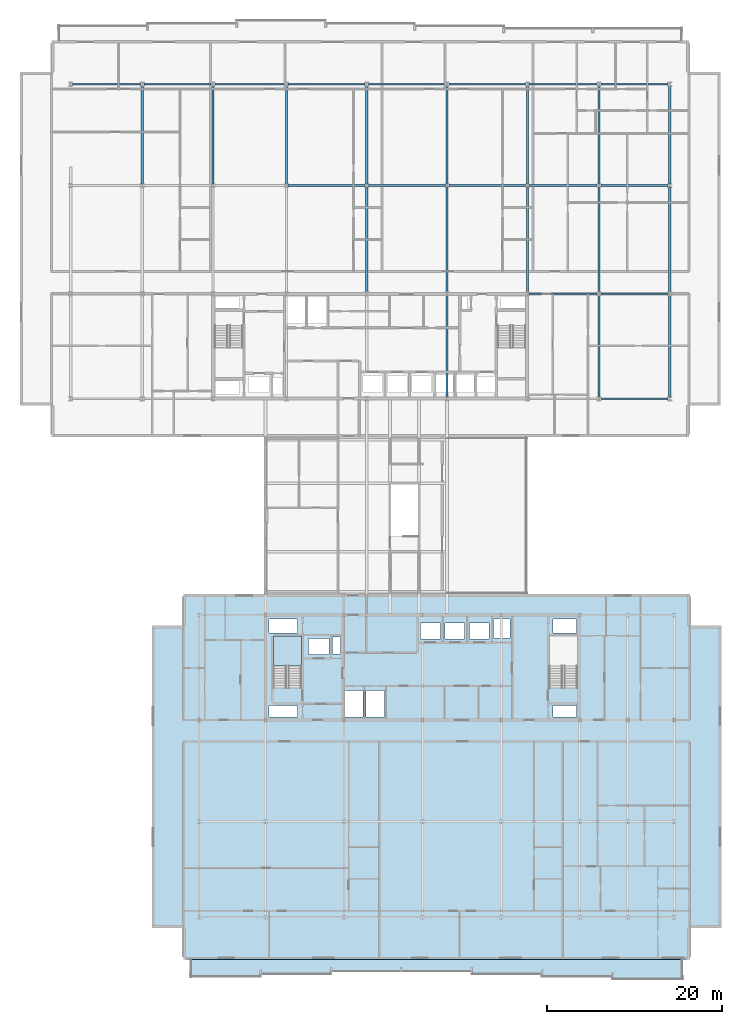
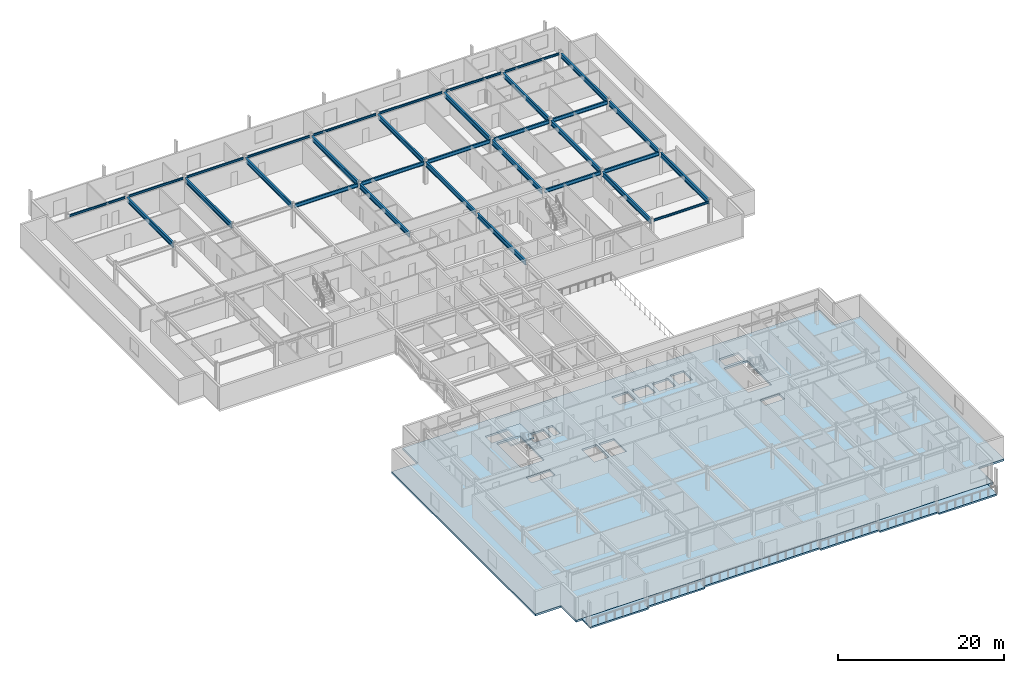
# One storey, part 8 of 28: 32 beams, 3 slabs, 1 element without a shape of its own.
"""IFC4 building model written with IfcOpenShell, lengths in metres."""

from ifc_helpers import new_model, si_unit, direction, frame, origin, origin_2d, place, context, subcontext, project, spatial, polyline, i_section, outline, extrude, material, layer, layer_set, material_profile, profile_set, type_object, element, aggregate, save


model = new_model("IFC4")

# Units and contexts
model_context = context("Model", 3, precision=1e-05, world=origin(), true_north=direction((0.0, 1.0)))
body_context = subcontext(model_context, "Body", "Model", "MODEL_VIEW")
ifc_project = project(units=[si_unit("LENGTHUNIT", "METRE"), si_unit("AREAUNIT", "SQUARE_METRE"), si_unit("VOLUMEUNIT", "CUBIC_METRE"), si_unit("PLANEANGLEUNIT", "RADIAN"), si_unit("MASSUNIT", "GRAM", prefix="KILO")], contexts=[model_context])

# Site, building, storey
site_placement = place(None, origin())
site = spatial("IfcSite", under=ifc_project, at=site_placement, CompositionType="ELEMENT")
building_placement = place(site_placement, origin())
building = spatial("IfcBuilding", under=site, at=building_placement, Name="Korimba Cascade Residences", CompositionType="ELEMENT")
storey_placement = place(building_placement, frame((0.0, 0.0, 153.699951171875)))
storey = spatial("IfcBuildingStorey", under=building, at=storey_placement, Name="L44", CompositionType="ELEMENT", Elevation=153.699951171875)

# Beams
ifc_material_1 = material(Name="Steel S355", Category="steel")
ifc_material_profile_1 = material_profile(ifc_material_1, i_section(OverallWidth=0.165771484375, OverallDepth=0.306640625, WebThickness=0.006591796875, FlangeThickness=0.01171875, FilletRadius=0.0087890625, at=origin_2d()), Name="Steel S355")
ifc_profile_set_1 = profile_set([ifc_material_profile_1], Name="Steel S355")
beam_type_1 = type_object("IfcBeamType", Name="BM-STL-UB305", PredefinedType="SPANDREL", material=ifc_profile_set_1)
beam_1_placement = place(storey_placement, frame((120.506103515625, 55.199951171875, 3.166748046875), z_axis=(1.0, 0.0, 0.0), x_axis=(0.0, 1.0, 0.0)))
element("IfcBeam", 1, at=beam_1_placement, inside=storey, type_object=beam_type_1, Name="L44 T1 E-W Girder Y1 Bay 8", PredefinedType="SPANDREL", context=body_context, shape_type="SweptSolid", body=[
    extrude(i_section(OverallWidth=0.165771484375, OverallDepth=0.306640625, WebThickness=0.006591796875, FlangeThickness=0.01171875, FilletRadius=0.0087890625, at=origin_2d()), origin(), (0.0, 0.0, 1.0), 7.687744140625),
])
beam_2_placement = place(storey_placement, frame((60.006103515625, 91.199951171875, 3.166748046875), z_axis=(1.0, 0.0, 0.0), x_axis=(0.0, 1.0, 0.0)))
element("IfcBeam", 2, at=beam_2_placement, inside=storey, type_object=beam_type_1, Name="L44 T1 E-W Girder Y4 Bay 1", PredefinedType="SPANDREL", context=body_context, shape_type="SweptSolid", body=[
    extrude(i_section(OverallWidth=0.165771484375, OverallDepth=0.306640625, WebThickness=0.006591796875, FlangeThickness=0.01171875, FilletRadius=0.0087890625, at=origin_2d()), origin(), (0.0, 0.0, 1.0), 7.787841796875),
])
beam_3_placement = place(storey_placement, frame((68.2060546875, 91.199951171875, 3.166748046875), z_axis=(1.0, 0.0, 0.0), x_axis=(0.0, 1.0, 0.0)))
element("IfcBeam", 3, at=beam_3_placement, inside=storey, type_object=beam_type_1, Name="L44 T1 E-W Girder Y4 Bay 2", PredefinedType="SPANDREL", context=body_context, shape_type="SweptSolid", body=[
    extrude(i_section(OverallWidth=0.165771484375, OverallDepth=0.306640625, WebThickness=0.006591796875, FlangeThickness=0.01171875, FilletRadius=0.0087890625, at=origin_2d()), origin(), (0.0, 0.0, 1.0), 7.687744140625),
])
beam_4_placement = place(storey_placement, frame((76.30615234375, 91.199951171875, 3.166748046875), z_axis=(1.0, 0.0, 0.0), x_axis=(0.0, 1.0, 0.0)))
element("IfcBeam", 4, at=beam_4_placement, inside=storey, type_object=beam_type_1, Name="L44 T1 E-W Girder Y4 Bay 3", PredefinedType="SPANDREL", context=body_context, shape_type="SweptSolid", body=[
    extrude(i_section(OverallWidth=0.165771484375, OverallDepth=0.306640625, WebThickness=0.006591796875, FlangeThickness=0.01171875, FilletRadius=0.0087890625, at=origin_2d()), origin(), (0.0, 0.0, 1.0), 7.98779296875),
])
for number, where, z_axis, x_axis, name in (
    (5, (84.7060546875, 91.199951171875, 3.166748046875), (1.0, 0.0, 0.0), (0.0, 1.0, 0.0), "L44 T1 E-W Girder Y4 Bay 4"),
    (6, (93.906005859375, 91.199951171875, 3.166748046875), (1.0, 0.0, 0.0), (0.0, 1.0, 0.0), "L44 T1 E-W Girder Y4 Bay 5"),
):
    element("IfcBeam", number, at=place(storey_placement, frame(where, z_axis=z_axis, x_axis=x_axis)), inside=storey, type_object=beam_type_1, Name=name, PredefinedType="SPANDREL", context=body_context, shape_type="SweptSolid", body=[
        extrude(i_section(OverallWidth=0.165771484375, OverallDepth=0.306640625, WebThickness=0.006591796875, FlangeThickness=0.01171875, FilletRadius=0.0087890625, at=origin_2d()), origin(), (0.0, 0.0, 1.0), 8.787841796875),
    ])
beam_5_placement = place(storey_placement, frame((103.106201171875, 91.199951171875, 3.166748046875), z_axis=(1.0, 0.0, 0.0), x_axis=(0.0, 1.0, 0.0)))
element("IfcBeam", 7, at=beam_5_placement, inside=storey, type_object=beam_type_1, Name="L44 T1 E-W Girder Y4 Bay 6", PredefinedType="SPANDREL", context=body_context, shape_type="SweptSolid", body=[
    extrude(i_section(OverallWidth=0.165771484375, OverallDepth=0.306640625, WebThickness=0.006591796875, FlangeThickness=0.01171875, FilletRadius=0.0087890625, at=origin_2d()), origin(), (0.0, 0.0, 1.0), 8.78759765625),
])
beam_6_placement = place(storey_placement, frame((112.30615234375, 91.199951171875, 3.166748046875), z_axis=(1.0, 0.0, 0.0), x_axis=(0.0, 1.0, 0.0)))
element("IfcBeam", 8, at=beam_6_placement, inside=storey, type_object=beam_type_1, Name="L44 T1 E-W Girder Y4 Bay 7", PredefinedType="SPANDREL", context=body_context, shape_type="SweptSolid", body=[
    extrude(i_section(OverallWidth=0.165771484375, OverallDepth=0.306640625, WebThickness=0.006591796875, FlangeThickness=0.01171875, FilletRadius=0.0087890625, at=origin_2d()), origin(), (0.0, 0.0, 1.0), 7.787841796875),
])
beam_7_placement = place(storey_placement, frame((120.506103515625, 91.199951171875, 3.166748046875), z_axis=(1.0, 0.0, 0.0), x_axis=(0.0, 1.0, 0.0)))
element("IfcBeam", 9, at=beam_7_placement, inside=storey, type_object=beam_type_1, Name="L44 T1 E-W Girder Y4 Bay 8", PredefinedType="SPANDREL", context=body_context, shape_type="SweptSolid", body=[
    extrude(i_section(OverallWidth=0.165771484375, OverallDepth=0.306640625, WebThickness=0.006591796875, FlangeThickness=0.01171875, FilletRadius=0.0087890625, at=origin_2d()), origin(), (0.0, 0.0, 1.0), 7.687744140625),
])
ifc_material_profile_2 = material_profile(ifc_material_1, i_section(OverallWidth=0.2099609375, OverallDepth=0.53662109375, WebThickness=0.0107421875, FlangeThickness=0.017333984375, FilletRadius=0.0126953125, at=origin_2d()), Name="Steel S355")
ifc_profile_set_2 = profile_set([ifc_material_profile_2], Name="Steel S355")
beam_type_2 = type_object("IfcBeamType", Name="BM-STL-UB533", PredefinedType="BEAM", material=ifc_profile_set_2)
beam_8_placement = place(storey_placement, frame((112.30615234375, 67.199951171875, 3.0517578125), z_axis=(1.0, 0.0, 0.0), x_axis=(0.0, 1.0, 0.0)))
element("IfcBeam", 10, at=beam_8_placement, inside=storey, type_object=beam_type_2, Name="L44 T1 E-W Girder Y2 Bay 7", PredefinedType="BEAM", context=body_context, shape_type="SweptSolid", body=[
    extrude(i_section(OverallWidth=0.2099609375, OverallDepth=0.53662109375, WebThickness=0.0107421875, FlangeThickness=0.017333984375, FilletRadius=0.0126953125, at=origin_2d()), origin(), (0.0, 0.0, 1.0), 7.787841796875),
])
beam_9_placement = place(storey_placement, frame((120.506103515625, 67.199951171875, 3.0517578125), z_axis=(1.0, 0.0, 0.0), x_axis=(0.0, 1.0, 0.0)))
element("IfcBeam", 11, at=beam_9_placement, inside=storey, type_object=beam_type_2, Name="L44 T1 E-W Girder Y2 Bay 8", PredefinedType="BEAM", context=body_context, shape_type="SweptSolid", body=[
    extrude(i_section(OverallWidth=0.2099609375, OverallDepth=0.53662109375, WebThickness=0.0107421875, FlangeThickness=0.017333984375, FilletRadius=0.0126953125, at=origin_2d()), origin(), (0.0, 0.0, 1.0), 7.687744140625),
])
for number, where, z_axis, x_axis, name in (
    (12, (84.7060546875, 79.60009765625, 3.0517578125), (1.0, 0.0, 0.0), (0.0, 1.0, 0.0), "L44 T1 E-W Girder Y3 Bay 4"),
    (13, (93.906005859375, 79.60009765625, 3.0517578125), (1.0, 0.0, 0.0), (0.0, 1.0, 0.0), "L44 T1 E-W Girder Y3 Bay 5"),
):
    element("IfcBeam", number, at=place(storey_placement, frame(where, z_axis=z_axis, x_axis=x_axis)), inside=storey, type_object=beam_type_2, Name=name, PredefinedType="BEAM", context=body_context, shape_type="SweptSolid", body=[
        extrude(i_section(OverallWidth=0.2099609375, OverallDepth=0.53662109375, WebThickness=0.0107421875, FlangeThickness=0.017333984375, FilletRadius=0.0126953125, at=origin_2d()), origin(), (0.0, 0.0, 1.0), 8.787841796875),
    ])
beam_10_placement = place(storey_placement, frame((103.106201171875, 79.60009765625, 3.0517578125), z_axis=(1.0, 0.0, 0.0), x_axis=(0.0, 1.0, 0.0)))
element("IfcBeam", 14, at=beam_10_placement, inside=storey, type_object=beam_type_2, Name="L44 T1 E-W Girder Y3 Bay 6", PredefinedType="BEAM", context=body_context, shape_type="SweptSolid", body=[
    extrude(i_section(OverallWidth=0.2099609375, OverallDepth=0.53662109375, WebThickness=0.0107421875, FlangeThickness=0.017333984375, FilletRadius=0.0126953125, at=origin_2d()), origin(), (0.0, 0.0, 1.0), 8.78759765625),
])
beam_11_placement = place(storey_placement, frame((112.30615234375, 79.60009765625, 3.0517578125), z_axis=(1.0, 0.0, 0.0), x_axis=(0.0, 1.0, 0.0)))
element("IfcBeam", 15, at=beam_11_placement, inside=storey, type_object=beam_type_2, Name="L44 T1 E-W Girder Y3 Bay 7", PredefinedType="BEAM", context=body_context, shape_type="SweptSolid", body=[
    extrude(i_section(OverallWidth=0.2099609375, OverallDepth=0.53662109375, WebThickness=0.0107421875, FlangeThickness=0.017333984375, FilletRadius=0.0126953125, at=origin_2d()), origin(), (0.0, 0.0, 1.0), 7.787841796875),
])
beam_12_placement = place(storey_placement, frame((120.506103515625, 79.60009765625, 3.0517578125), z_axis=(1.0, 0.0, 0.0), x_axis=(0.0, 1.0, 0.0)))
element("IfcBeam", 16, at=beam_12_placement, inside=storey, type_object=beam_type_2, Name="L44 T1 E-W Girder Y3 Bay 8", PredefinedType="BEAM", context=body_context, shape_type="SweptSolid", body=[
    extrude(i_section(OverallWidth=0.2099609375, OverallDepth=0.53662109375, WebThickness=0.0107421875, FlangeThickness=0.017333984375, FilletRadius=0.0126953125, at=origin_2d()), origin(), (0.0, 0.0, 1.0), 7.687744140625),
])
ifc_material_profile_3 = material_profile(ifc_material_1, i_section(OverallWidth=0.255859375, OverallDepth=0.69287109375, WebThickness=0.014404296875, FlangeThickness=0.023681640625, FilletRadius=0.01513671875, at=origin_2d()), Name="Steel S355")
ifc_profile_set_3 = profile_set([ifc_material_profile_3], Name="Steel S355")
beam_type_3 = type_object("IfcBeamType", Name="BM-STL-UB686", PredefinedType="BEAM", material=ifc_profile_set_3)
for number, where, z_axis, x_axis, name in (
    (17, (68.0, 79.818359375, 2.9736328125), (0.0, 1.0, 0.0), (-1.0, 0.0, 0.0), "L44 T1 N-S Girder X2 Seg 3"),
    (18, (76.10009765625, 79.818359375, 2.9736328125), (0.0, 1.0, 0.0), (-1.0, 0.0, 0.0), "L44 T1 N-S Girder X3 Seg 3"),
    (19, (84.5, 79.818359375, 2.9736328125), (0.0, 1.0, 0.0), (-1.0, 0.0, 0.0), "L44 T1 N-S Girder X4 Seg 3"),
):
    element("IfcBeam", number, at=place(storey_placement, frame(where, z_axis=z_axis, x_axis=x_axis)), inside=storey, type_object=beam_type_3, Name=name, PredefinedType="BEAM", context=body_context, shape_type="SweptSolid", body=[
        extrude(i_section(OverallWidth=0.255859375, OverallDepth=0.69287109375, WebThickness=0.014404296875, FlangeThickness=0.023681640625, FilletRadius=0.01513671875, at=origin_2d()), origin(), (0.0, 0.0, 1.0), 11.163330078125),
    ])
beam_13_placement = place(storey_placement, frame((93.699951171875, 67.418212890625, 2.9736328125), z_axis=(0.0, 1.0, 0.0), x_axis=(-1.0, 0.0, 0.0)))
element("IfcBeam", 20, at=beam_13_placement, inside=storey, type_object=beam_type_3, Name="L44 T1 N-S Girder X5 Seg 2", PredefinedType="BEAM", context=body_context, shape_type="SweptSolid", body=[
    extrude(i_section(OverallWidth=0.255859375, OverallDepth=0.69287109375, WebThickness=0.014404296875, FlangeThickness=0.023681640625, FilletRadius=0.01513671875, at=origin_2d()), origin(), (0.0, 0.0, 1.0), 11.96337890625),
])
beam_14_placement = place(storey_placement, frame((93.699951171875, 79.818359375, 2.9736328125), z_axis=(0.0, 1.0, 0.0), x_axis=(-1.0, 0.0, 0.0)))
element("IfcBeam", 21, at=beam_14_placement, inside=storey, type_object=beam_type_3, Name="L44 T1 N-S Girder X5 Seg 3", PredefinedType="BEAM", context=body_context, shape_type="SweptSolid", body=[
    extrude(i_section(OverallWidth=0.255859375, OverallDepth=0.69287109375, WebThickness=0.014404296875, FlangeThickness=0.023681640625, FilletRadius=0.01513671875, at=origin_2d()), origin(), (0.0, 0.0, 1.0), 11.163330078125),
])
beam_15_placement = place(storey_placement, frame((102.89990234375, 55.418212890625, 2.9736328125), z_axis=(0.0, 1.0, 0.0), x_axis=(-1.0, 0.0, 0.0)))
element("IfcBeam", 22, at=beam_15_placement, inside=storey, type_object=beam_type_3, Name="L44 T1 N-S Girder X6 Seg 1", PredefinedType="BEAM", context=body_context, shape_type="SweptSolid", body=[
    extrude(i_section(OverallWidth=0.255859375, OverallDepth=0.69287109375, WebThickness=0.014404296875, FlangeThickness=0.023681640625, FilletRadius=0.01513671875, at=origin_2d()), origin(), (0.0, 0.0, 1.0), 11.5634765625),
])
beam_16_placement = place(storey_placement, frame((102.89990234375, 67.418212890625, 2.9736328125), z_axis=(0.0, 1.0, 0.0), x_axis=(-1.0, 0.0, 0.0)))
element("IfcBeam", 23, at=beam_16_placement, inside=storey, type_object=beam_type_3, Name="L44 T1 N-S Girder X6 Seg 2", PredefinedType="BEAM", context=body_context, shape_type="SweptSolid", body=[
    extrude(i_section(OverallWidth=0.255859375, OverallDepth=0.69287109375, WebThickness=0.014404296875, FlangeThickness=0.023681640625, FilletRadius=0.01513671875, at=origin_2d()), origin(), (0.0, 0.0, 1.0), 11.96337890625),
])
beam_17_placement = place(storey_placement, frame((102.89990234375, 79.818359375, 2.9736328125), z_axis=(0.0, 1.0, 0.0), x_axis=(-1.0, 0.0, 0.0)))
element("IfcBeam", 24, at=beam_17_placement, inside=storey, type_object=beam_type_3, Name="L44 T1 N-S Girder X6 Seg 3", PredefinedType="BEAM", context=body_context, shape_type="SweptSolid", body=[
    extrude(i_section(OverallWidth=0.255859375, OverallDepth=0.69287109375, WebThickness=0.014404296875, FlangeThickness=0.023681640625, FilletRadius=0.01513671875, at=origin_2d()), origin(), (0.0, 0.0, 1.0), 11.163330078125),
])
beam_18_placement = place(storey_placement, frame((112.10009765625, 67.418212890625, 2.9736328125), z_axis=(0.0, 1.0, 0.0), x_axis=(-1.0, 0.0, 0.0)))
element("IfcBeam", 25, at=beam_18_placement, inside=storey, type_object=beam_type_3, Name="L44 T1 N-S Girder X7 Seg 2", PredefinedType="BEAM", context=body_context, shape_type="SweptSolid", body=[
    extrude(i_section(OverallWidth=0.255859375, OverallDepth=0.69287109375, WebThickness=0.014404296875, FlangeThickness=0.023681640625, FilletRadius=0.01513671875, at=origin_2d()), origin(), (0.0, 0.0, 1.0), 11.96337890625),
])
beam_19_placement = place(storey_placement, frame((112.10009765625, 79.818359375, 2.9736328125), z_axis=(0.0, 1.0, 0.0), x_axis=(-1.0, 0.0, 0.0)))
element("IfcBeam", 26, at=beam_19_placement, inside=storey, type_object=beam_type_3, Name="L44 T1 N-S Girder X7 Seg 3", PredefinedType="BEAM", context=body_context, shape_type="SweptSolid", body=[
    extrude(i_section(OverallWidth=0.255859375, OverallDepth=0.69287109375, WebThickness=0.014404296875, FlangeThickness=0.023681640625, FilletRadius=0.01513671875, at=origin_2d()), origin(), (0.0, 0.0, 1.0), 11.163330078125),
])
beam_20_placement = place(storey_placement, frame((120.300048828125, 55.418212890625, 2.9736328125), z_axis=(0.0, 1.0, 0.0), x_axis=(-1.0, 0.0, 0.0)))
element("IfcBeam", 27, at=beam_20_placement, inside=storey, type_object=beam_type_3, Name="L44 T1 N-S Girder X8 Seg 1", PredefinedType="BEAM", context=body_context, shape_type="SweptSolid", body=[
    extrude(i_section(OverallWidth=0.255859375, OverallDepth=0.69287109375, WebThickness=0.014404296875, FlangeThickness=0.023681640625, FilletRadius=0.01513671875, at=origin_2d()), origin(), (0.0, 0.0, 1.0), 11.5634765625),
])
beam_21_placement = place(storey_placement, frame((120.300048828125, 67.418212890625, 2.9736328125), z_axis=(0.0, 1.0, 0.0), x_axis=(-1.0, 0.0, 0.0)))
element("IfcBeam", 28, at=beam_21_placement, inside=storey, type_object=beam_type_3, Name="L44 T1 N-S Girder X8 Seg 2", PredefinedType="BEAM", context=body_context, shape_type="SweptSolid", body=[
    extrude(i_section(OverallWidth=0.255859375, OverallDepth=0.69287109375, WebThickness=0.014404296875, FlangeThickness=0.023681640625, FilletRadius=0.01513671875, at=origin_2d()), origin(), (0.0, 0.0, 1.0), 11.96337890625),
])
beam_22_placement = place(storey_placement, frame((120.300048828125, 79.818359375, 2.9736328125), z_axis=(0.0, 1.0, 0.0), x_axis=(-1.0, 0.0, 0.0)))
element("IfcBeam", 29, at=beam_22_placement, inside=storey, type_object=beam_type_3, Name="L44 T1 N-S Girder X8 Seg 3", PredefinedType="BEAM", context=body_context, shape_type="SweptSolid", body=[
    extrude(i_section(OverallWidth=0.255859375, OverallDepth=0.69287109375, WebThickness=0.014404296875, FlangeThickness=0.023681640625, FilletRadius=0.01513671875, at=origin_2d()), origin(), (0.0, 0.0, 1.0), 11.163330078125),
])
beam_23_placement = place(storey_placement, frame((128.39990234375, 55.418212890625, 2.9736328125), z_axis=(0.0, 1.0, 0.0), x_axis=(-1.0, 0.0, 0.0)))
element("IfcBeam", 30, at=beam_23_placement, inside=storey, type_object=beam_type_3, Name="L44 T1 N-S Girder X9 Seg 1", PredefinedType="BEAM", context=body_context, shape_type="SweptSolid", body=[
    extrude(i_section(OverallWidth=0.255859375, OverallDepth=0.69287109375, WebThickness=0.014404296875, FlangeThickness=0.023681640625, FilletRadius=0.01513671875, at=origin_2d()), origin(), (0.0, 0.0, 1.0), 11.5634765625),
])
beam_24_placement = place(storey_placement, frame((128.39990234375, 67.418212890625, 2.9736328125), z_axis=(0.0, 1.0, 0.0), x_axis=(-1.0, 0.0, 0.0)))
element("IfcBeam", 31, at=beam_24_placement, inside=storey, type_object=beam_type_3, Name="L44 T1 N-S Girder X9 Seg 2", PredefinedType="BEAM", context=body_context, shape_type="SweptSolid", body=[
    extrude(i_section(OverallWidth=0.255859375, OverallDepth=0.69287109375, WebThickness=0.014404296875, FlangeThickness=0.023681640625, FilletRadius=0.01513671875, at=origin_2d()), origin(), (0.0, 0.0, 1.0), 11.96337890625),
])
beam_25_placement = place(storey_placement, frame((128.39990234375, 79.818359375, 2.9736328125), z_axis=(0.0, 1.0, 0.0), x_axis=(-1.0, 0.0, 0.0)))
element("IfcBeam", 32, at=beam_25_placement, inside=storey, type_object=beam_type_3, Name="L44 T1 N-S Girder X9 Seg 3", PredefinedType="BEAM", context=body_context, shape_type="SweptSolid", body=[
    extrude(i_section(OverallWidth=0.255859375, OverallDepth=0.69287109375, WebThickness=0.014404296875, FlangeThickness=0.023681640625, FilletRadius=0.01513671875, at=origin_2d()), origin(), (0.0, 0.0, 1.0), 11.163330078125),
])

# Stair, slab
ifc_material_2 = material(Name="Concrete C50/60", Category="concrete")
stair_type = type_object("IfcStairType", Name="STR-E1-20R-1800", PredefinedType="HALF_TURN_STAIR", material=ifc_material_2)
stair_placement = place(storey_placement, origin())
stair = element("IfcStair", 33, at=stair_placement, inside=storey, type_object=stair_type, Name="L44 Tower 2 West Fire Stair ST-E1", PredefinedType="HALF_TURN_STAIR")
ifc_layer_1 = layer(ifc_material_2, 0.199951171875)
ifc_layer_set_1 = layer_set([ifc_layer_1], Name="Concrete C50/60")
slab_type_1 = type_object("IfcSlabType", Name="SLB-LND-220", PredefinedType="LANDING", material=ifc_layer_set_1)
slab_1_placement = place(storey_placement, frame((0.0, 0.0, 1.60009765625)))
slab_1 = element("IfcSlab", 34, at=slab_1_placement, type_object=slab_type_1, Name="ST-E1 landing 1", PredefinedType="LANDING", context=body_context, shape_type="SweptSolid", body=[
    extrude(outline(polyline([(86.239990234375, 24.570068359375), (86.239990234375, 28.0), (83.0, 28.0), (83.0, 24.570068359375), (86.239990234375, 24.570068359375)])), origin(), (0.0, 0.0, 1.0), 0.199951171875),
])
aggregate(stair, [slab_1])

# Slabs
ifc_material_3 = material(Name="Precast concrete C40/50", Category="concrete")
ifc_layer_2 = layer(ifc_material_3, 0.239990234375)
ifc_layer_set_2 = layer_set([ifc_layer_2], Name="Precast concrete C40/50")
slab_type_2 = type_object("IfcSlabType", Name="SLB-LOG-240", PredefinedType="FLOOR", material=ifc_layer_set_2)
slab_2_placement = place(storey_placement, frame((0.0, 0.0, -0.239990234375)))
element("IfcSlab", 35, at=slab_2_placement, inside=storey, type_object=slab_type_2, Name="L44 Tower 2 South Loggia Slab", PredefinedType="FLOOR", context=body_context, shape_type="SweptSolid", body=[
    extrude(outline(polyline([(73.5, -11.050048828125), (81.55712890625, -11.050048828125), (81.55712890625, -10.75), (89.6142578125, -10.75), (89.6142578125, -10.449951171875), (105.728515625, -10.449951171875), (105.728515625, -10.75), (113.78564453125, -10.75), (113.78564453125, -11.050048828125), (121.843017578125, -11.050048828125), (121.843017578125, -11.35009765625), (129.89990234375, -11.35009765625), (129.89990234375, -9.0), (73.5, -9.0), (73.5, -11.050048828125)])), origin(), (0.0, 0.0, 1.0), 0.239990234375),
])
ifc_layer_3 = layer(ifc_material_2, 0.280029296875)
ifc_layer_set_3 = layer_set([ifc_layer_3], Name="Concrete C50/60")
slab_type_3 = type_object("IfcSlabType", Name="SLB-TYP-280", PredefinedType="FLOOR", material=ifc_layer_set_3)
slab_3_placement = place(storey_placement, frame((0.0, 0.0, -0.2900390625)))
element("IfcSlab", 36, at=slab_3_placement, inside=storey, type_object=slab_type_3, Name="L44 Tower 2 Floor Slab", PredefinedType="FLOOR", context=body_context, shape_type="SweptSolid", body=[
    extrude(outline(polyline([(72.699951171875, -9.0), (130.699951171875, -9.0), (130.699951171875, -5.39990234375), (134.300048828125, -5.39990234375), (134.300048828125, 29.199951171875), (130.699951171875, 29.199951171875), (130.699951171875, 32.800048828125), (72.699951171875, 32.800048828125), (72.699951171875, 29.199951171875), (69.10009765625, 29.199951171875), (69.10009765625, -5.39990234375), (72.699951171875, -5.39990234375), (72.699951171875, -9.0)]), holes=[polyline([(86.239990234375, 22.0849609375), (86.239990234375, 28.0), (83.0, 28.0), (83.0, 22.0849609375), (86.239990234375, 22.0849609375)]), polyline([(117.840087890625, 22.0849609375), (117.840087890625, 28.0), (114.60009765625, 28.0), (114.60009765625, 22.0849609375), (117.840087890625, 22.0849609375)]), polyline([(87.030029296875, 25.8798828125), (89.3701171875, 25.8798828125), (89.3701171875, 27.719970703125), (87.030029296875, 27.719970703125), (87.030029296875, 25.8798828125)]), polyline([(99.8798828125, 27.679931640625), (102.1201171875, 27.679931640625), (102.1201171875, 29.52001953125), (99.8798828125, 29.52001953125), (99.8798828125, 27.679931640625)]), polyline([(102.679931640625, 27.679931640625), (104.919921875, 27.679931640625), (104.919921875, 29.52001953125), (102.679931640625, 29.52001953125), (102.679931640625, 27.679931640625)]), polyline([(105.47998046875, 27.679931640625), (107.719970703125, 27.679931640625), (107.719970703125, 29.52001953125), (105.47998046875, 29.52001953125), (105.47998046875, 27.679931640625)]), polyline([(89.780029296875, 25.97998046875), (90.719970703125, 25.97998046875), (90.719970703125, 27.919921875), (89.780029296875, 27.919921875), (89.780029296875, 25.97998046875)]), polyline([(82.530029296875, 18.72998046875), (85.800048828125, 18.72998046875), (85.800048828125, 20.0400390625), (82.530029296875, 20.0400390625), (82.530029296875, 18.72998046875)]), polyline([(82.530029296875, 28.360107421875), (85.800048828125, 28.360107421875), (85.800048828125, 29.969970703125), (82.530029296875, 29.969970703125), (82.530029296875, 28.360107421875)]), polyline([(108.22998046875, 27.780029296875), (110.1201171875, 27.780029296875), (110.1201171875, 29.969970703125), (108.22998046875, 29.969970703125), (108.22998046875, 27.780029296875)]), polyline([(91.22998046875, 18.72998046875), (93.27001953125, 18.72998046875), (93.27001953125, 21.780029296875), (91.22998046875, 21.780029296875), (91.22998046875, 18.72998046875)]), polyline([(93.6298828125, 18.72998046875), (95.719970703125, 18.72998046875), (95.719970703125, 21.780029296875), (93.6298828125, 21.780029296875), (93.6298828125, 18.72998046875)]), polyline([(115.02001953125, 18.72998046875), (117.739990234375, 18.72998046875), (117.739990234375, 20.0400390625), (115.02001953125, 20.0400390625), (115.02001953125, 18.72998046875)]), polyline([(115.02001953125, 28.360107421875), (117.739990234375, 28.360107421875), (117.739990234375, 29.969970703125), (115.02001953125, 29.969970703125), (115.02001953125, 28.360107421875)])]), origin(), (0.0, 0.0, 1.0), 0.2900390625),
])

save(model, "model.ifc")
